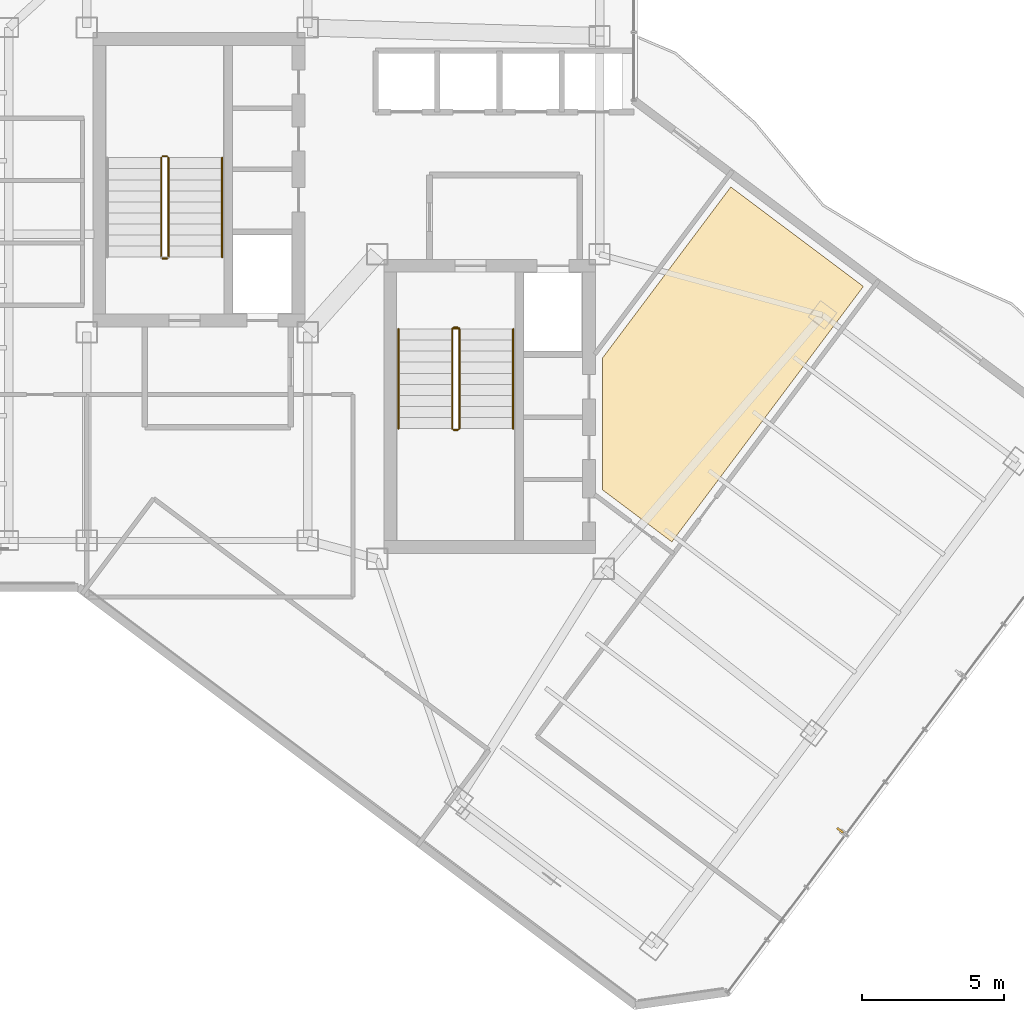
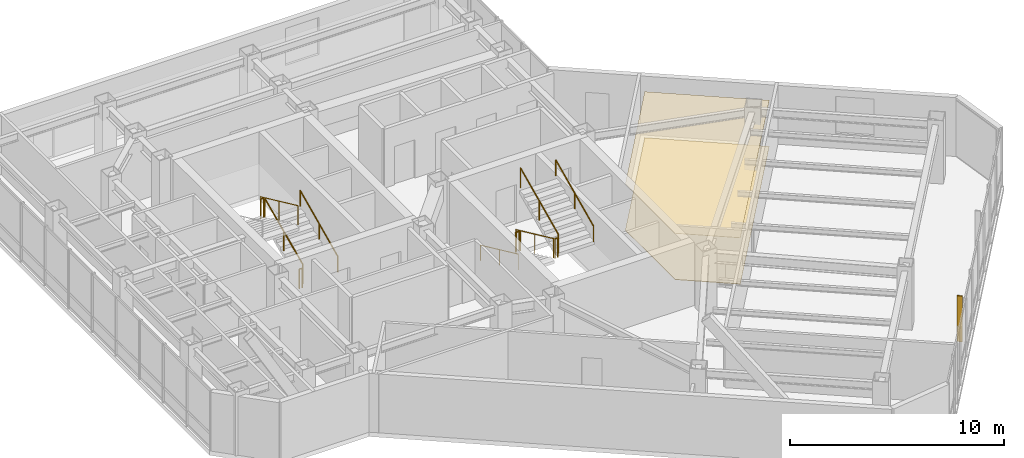
# One storey, part 23 of 25: 12 railings, 2 coverings, 1 shading device.
"""IFC4 building model written with IfcOpenShell, lengths in metres."""

from ifc_helpers import new_model, si_unit, direction, frame, origin, origin_2d, place, context, subcontext, project, spatial, polyline, rectangle, circle, outline, extrude, material, layer, layer_set, type_object, element, save


model = new_model("IFC4")

# Units and contexts
model_context = context("Model", 3, precision=1e-05, world=origin(), true_north=direction((0.0, 1.0)))
body_context = subcontext(model_context, "Body", "Model", "MODEL_VIEW")
ifc_project = project(units=[si_unit("LENGTHUNIT", "METRE"), si_unit("AREAUNIT", "SQUARE_METRE"), si_unit("VOLUMEUNIT", "CUBIC_METRE"), si_unit("PLANEANGLEUNIT", "RADIAN"), si_unit("MASSUNIT", "GRAM", prefix="KILO")], contexts=[model_context])

# Site, building, storey
site_placement = place(None, origin())
site = spatial("IfcSite", under=ifc_project, at=site_placement, CompositionType="ELEMENT")
building_placement = place(site_placement, origin())
building = spatial("IfcBuilding", under=site, at=building_placement, Name="Hatsunagi Terrace Concourse", CompositionType="ELEMENT")
storey_placement = place(building_placement, frame((0.0, 0.0, 205.949951171875)))
storey = spatial("IfcBuildingStorey", under=building, at=storey_placement, Name="L54", CompositionType="ELEMENT", Elevation=205.949951171875)

# Coverings
ifc_material_1 = material(Name="Acoustic mineral board", Category="gypsum")
ifc_layer_1 = layer(ifc_material_1, 0.02001953125)
ifc_layer_set_1 = layer_set([ifc_layer_1], Name="AcousticMineralCeiling_20")
covering_type_1 = type_object("IfcCoveringType", Name="AcousticMineralCeiling_20", PredefinedType="CEILING", material=ifc_layer_set_1)
covering_1_placement = place(storey_placement, frame((0.0, 0.0, 2.630126953125)))
element("IfcCovering", 1, at=covering_1_placement, inside=storey, type_object=covering_type_1, Name="Suspended Ceiling L54-2", PredefinedType="CEILING", context=body_context, shape_type="SweptSolid", body=[
    extrude(outline(polyline([(48.281982421875, 37.676025390625), (43.75, 31.634033203125), (43.75, 26.988037109375), (46.199951171875, 25.14990234375), (52.9619140625, 34.166015625), (48.281982421875, 37.676025390625)])), origin(), (0.0, 0.0, 1.0), 0.02001953125),
])
ifc_material_2 = material(Name="Granite stone paving", Category="masonry")
ifc_layer_2 = layer(ifc_material_2, 0.02490234375)
ifc_layer_set_2 = layer_set([ifc_layer_2], Name="GraniteStoneFlooring_25")
covering_type_2 = type_object("IfcCoveringType", Name="GraniteStoneFlooring_25", PredefinedType="FLOORING", material=ifc_layer_set_2)
covering_2_placement = place(storey_placement, origin())
element("IfcCovering", 2, at=covering_2_placement, inside=storey, type_object=covering_type_2, Name="Finished Flooring L54-2", PredefinedType="FLOORING", context=body_context, shape_type="SweptSolid", body=[
    extrude(outline(polyline([(48.281982421875, 37.676025390625), (43.75, 31.634033203125), (43.75, 26.988037109375), (46.199951171875, 25.14990234375), (52.9619140625, 34.166015625), (48.281982421875, 37.676025390625)])), origin(), (0.0, 0.0, 1.0), 0.025146484375),
])

# Railings
ifc_material_3 = material(Name="Stainless steel", Category="steel")
ifc_layer_3 = layer(ifc_material_3, 0.044921875)
ifc_layer_set_3 = layer_set([ifc_layer_3], Name="StairPitchHandrail_Tower2000")
railing_type_1 = type_object("IfcRailingType", Name="StairPitchHandrail_Tower2000", PredefinedType="HANDRAIL", material=ifc_layer_set_3)
railing_1_placement = place(storey_placement, frame((30.330078125, 35.199951171875, 0.179931640625)))
element("IfcRailing", 3, at=railing_1_placement, inside=storey, type_object=railing_type_1, Name="L54 ST-A stair handrail 1", PredefinedType="HANDRAIL", context=body_context, shape_type="SweptSolid", body=[
    extrude(circle(Radius=0.02392578125, at=origin_2d()), frame((0.0, 0.0, 0.8759765625), z_axis=(0.0, 0.907948293929, 0.419082206198), x_axis=(-1.0, 0.0, 0.0)), (0.0, 0.0, 1.0), 3.865966796875),
    extrude(circle(Radius=0.02099609375, at=origin_2d()), origin(), (0.0, 0.0, 1.0), 0.851806640625),
    extrude(circle(Radius=0.02099609375, at=origin_2d()), frame((0.0, 1.7548828125, 0.81005859375)), (0.0, 0.0, 1.0), 0.851806640625),
    extrude(circle(Radius=0.02099609375, at=origin_2d()), frame((0.0, 3.510009765625, 1.6201171875)), (0.0, 0.0, 1.0), 0.851806640625),
])
railing_2_placement = place(storey_placement, frame((36.550048828125, 32.659912109375, 0.179931640625)))
element("IfcRailing", 4, at=railing_2_placement, inside=storey, type_object=railing_type_1, Name="L54 ST-B stair handrail 1", PredefinedType="HANDRAIL", context=body_context, shape_type="SweptSolid", body=[
    extrude(circle(Radius=0.02392578125, at=origin_2d()), frame((0.0, 0.0, 0.8759765625), z_axis=(0.0, -0.907948293929, 0.419082206198), x_axis=(1.0, 0.0, 0.0)), (0.0, 0.0, 1.0), 3.865966796875),
    extrude(circle(Radius=0.02099609375, at=origin_2d()), origin(), (0.0, 0.0, 1.0), 0.851806640625),
    extrude(circle(Radius=0.02099609375, at=origin_2d()), frame((0.0, -1.7548828125, 0.81005859375)), (0.0, 0.0, 1.0), 0.851806640625),
    extrude(circle(Radius=0.02099609375, at=origin_2d()), frame((0.0, -3.510009765625, 1.6201171875)), (0.0, 0.0, 1.0), 0.851806640625),
])
railing_3_placement = place(storey_placement, frame((40.60009765625, 29.14990234375, 1.97998046875)))
element("IfcRailing", 5, at=railing_3_placement, inside=storey, type_object=railing_type_1, Name="L54 ST-B stair handrail 2", PredefinedType="HANDRAIL", context=body_context, shape_type="SweptSolid", body=[
    extrude(circle(Radius=0.02392578125, at=origin_2d()), frame((0.0, 0.0, 0.8759765625), z_axis=(0.0, 0.907948293929, 0.419082206198), x_axis=(-1.0, 0.0, 0.0)), (0.0, 0.0, 1.0), 3.865966796875),
    extrude(circle(Radius=0.02099609375, at=origin_2d()), origin(), (0.0, 0.0, 1.0), 0.851806640625),
    extrude(circle(Radius=0.02099609375, at=origin_2d()), frame((0.0, 1.7548828125, 0.81005859375)), (0.0, 0.0, 1.0), 0.851806640625),
    extrude(circle(Radius=0.02099609375, at=origin_2d()), frame((0.0, 3.510009765625, 1.6201171875)), (0.0, 0.0, 1.0), 0.851806640625),
])
ifc_material_4 = material(Name="Stainless steel", Category="steel")
ifc_layer_4 = layer(ifc_material_4, 0.06005859375)
ifc_layer_set_4 = layer_set([ifc_layer_4], Name="StairWellGuard_Tower2000")
railing_type_2 = type_object("IfcRailingType", Name="StairWellGuard_Tower2000", PredefinedType="BALUSTRADE", material=ifc_layer_set_4)
railing_4_placement = place(storey_placement, frame((28.429931640625, 35.199951171875, 0.179931640625)))
element("IfcRailing", 6, at=railing_4_placement, inside=storey, type_object=railing_type_2, Name="L54 ST-A stair guard 1", PredefinedType="BALUSTRADE", context=body_context, shape_type="SweptSolid", body=[
    extrude(circle(Radius=0.02392578125, at=origin_2d()), frame((0.0, 0.0, 1.09619140625), z_axis=(0.0, 0.907948293929, 0.419082206198), x_axis=(-1.0, 0.0, 0.0)), (0.0, 0.0, 1.0), 3.865966796875),
    extrude(circle(Radius=0.02099609375, at=origin_2d()), origin(), (0.0, 0.0, 1.0), 1.072021484375),
    extrude(circle(Radius=0.02099609375, at=origin_2d()), frame((0.0, 1.7548828125, 0.81005859375)), (0.0, 0.0, 1.0), 1.072021484375),
    extrude(circle(Radius=0.02099609375, at=origin_2d()), frame((0.0, 3.510009765625, 1.6201171875)), (0.0, 0.0, 1.0), 1.072021484375),
])
railing_5_placement = place(storey_placement, frame((28.3798828125, 38.760009765625, 1.800048828125)))
element("IfcRailing", 7, at=railing_5_placement, inside=storey, type_object=railing_type_2, Name="L54 ST-A stair guard 2", PredefinedType="BALUSTRADE", context=body_context, shape_type="SweptSolid", body=[
    extrude(circle(Radius=0.02392578125, at=origin_2d()), frame((0.0, 0.0, 1.09619140625), z_axis=(-1.0, 0.0, 0.0), x_axis=(0.0, -1.0, 0.0)), (0.0, 0.0, 1.0), 0.14990234375),
    extrude(circle(Radius=0.02099609375, at=origin_2d()), origin(), (0.0, 0.0, 1.0), 1.072021484375),
    extrude(circle(Radius=0.02099609375, at=origin_2d()), frame((-0.14990234375, 0.0, 0.0)), (0.0, 0.0, 1.0), 1.072021484375),
])
railing_6_placement = place(storey_placement, frame((28.179931640625, 38.7099609375, 1.97998046875)))
element("IfcRailing", 8, at=railing_6_placement, inside=storey, type_object=railing_type_2, Name="L54 ST-A stair guard 3", PredefinedType="BALUSTRADE", context=body_context, shape_type="SweptSolid", body=[
    extrude(circle(Radius=0.02392578125, at=origin_2d()), frame((0.0, 0.0, 1.09619140625), z_axis=(0.0, -0.907948293929, 0.419082206198), x_axis=(1.0, 0.0, 0.0)), (0.0, 0.0, 1.0), 3.865966796875),
    extrude(circle(Radius=0.02099609375, at=origin_2d()), origin(), (0.0, 0.0, 1.0), 1.072021484375),
    extrude(circle(Radius=0.02099609375, at=origin_2d()), frame((0.0, -1.7548828125, 0.81005859375)), (0.0, 0.0, 1.0), 1.072021484375),
    extrude(circle(Radius=0.02099609375, at=origin_2d()), frame((0.0, -3.510009765625, 1.6201171875)), (0.0, 0.0, 1.0), 1.072021484375),
])
railing_7_placement = place(storey_placement, frame((28.3798828125, 35.14990234375, 0.0)))
element("IfcRailing", 9, at=railing_7_placement, inside=storey, type_object=railing_type_2, Name="L54 ST-A stair guard 4", PredefinedType="BALUSTRADE", context=body_context, shape_type="SweptSolid", body=[
    extrude(circle(Radius=0.02392578125, at=origin_2d()), frame((0.0, 0.0, 1.09619140625), z_axis=(-1.0, 0.0, 0.0), x_axis=(0.0, -1.0, 0.0)), (0.0, 0.0, 1.0), 0.14990234375),
    extrude(circle(Radius=0.02099609375, at=origin_2d()), origin(), (0.0, 0.0, 1.0), 1.072021484375),
    extrude(circle(Radius=0.02099609375, at=origin_2d()), frame((-0.14990234375, 0.0, 0.0)), (0.0, 0.0, 1.0), 1.072021484375),
])
railing_8_placement = place(storey_placement, frame((38.449951171875, 32.659912109375, 0.179931640625)))
element("IfcRailing", 10, at=railing_8_placement, inside=storey, type_object=railing_type_2, Name="L54 ST-B stair guard 1", PredefinedType="BALUSTRADE", context=body_context, shape_type="SweptSolid", body=[
    extrude(circle(Radius=0.02392578125, at=origin_2d()), frame((0.0, 0.0, 1.09619140625), z_axis=(0.0, -0.907948293929, 0.419082206198), x_axis=(1.0, 0.0, 0.0)), (0.0, 0.0, 1.0), 3.865966796875),
    extrude(circle(Radius=0.02099609375, at=origin_2d()), origin(), (0.0, 0.0, 1.0), 1.072021484375),
    extrude(circle(Radius=0.02099609375, at=origin_2d()), frame((0.0, -1.7548828125, 0.81005859375)), (0.0, 0.0, 1.0), 1.072021484375),
    extrude(circle(Radius=0.02099609375, at=origin_2d()), frame((0.0, -3.510009765625, 1.6201171875)), (0.0, 0.0, 1.0), 1.072021484375),
])
railing_9_placement = place(storey_placement, frame((38.5, 29.10009765625, 1.800048828125)))
element("IfcRailing", 11, at=railing_9_placement, inside=storey, type_object=railing_type_2, Name="L54 ST-B stair guard 2", PredefinedType="BALUSTRADE", context=body_context, shape_type="SweptSolid", body=[
    extrude(circle(Radius=0.02392578125, at=origin_2d()), frame((0.0, 0.0, 1.09619140625), z_axis=(1.0, 0.0, 0.0), x_axis=(0.0, 1.0, 0.0)), (0.0, 0.0, 1.0), 0.14990234375),
    extrude(circle(Radius=0.02099609375, at=origin_2d()), origin(), (0.0, 0.0, 1.0), 1.072021484375),
    extrude(circle(Radius=0.02099609375, at=origin_2d()), frame((0.14990234375, 0.0, 0.0)), (0.0, 0.0, 1.0), 1.072021484375),
])
railing_10_placement = place(storey_placement, frame((38.699951171875, 29.14990234375, 1.97998046875)))
element("IfcRailing", 12, at=railing_10_placement, inside=storey, type_object=railing_type_2, Name="L54 ST-B stair guard 3", PredefinedType="BALUSTRADE", context=body_context, shape_type="SweptSolid", body=[
    extrude(circle(Radius=0.02392578125, at=origin_2d()), frame((0.0, 0.0, 1.09619140625), z_axis=(0.0, 0.907948293929, 0.419082206198), x_axis=(-1.0, 0.0, 0.0)), (0.0, 0.0, 1.0), 3.865966796875),
    extrude(circle(Radius=0.02099609375, at=origin_2d()), origin(), (0.0, 0.0, 1.0), 1.072021484375),
    extrude(circle(Radius=0.02099609375, at=origin_2d()), frame((0.0, 1.7548828125, 0.81005859375)), (0.0, 0.0, 1.0), 1.072021484375),
    extrude(circle(Radius=0.02099609375, at=origin_2d()), frame((0.0, 3.510009765625, 1.6201171875)), (0.0, 0.0, 1.0), 1.072021484375),
])
railing_11_placement = place(storey_placement, frame((38.5, 32.7099609375, 0.0)))
element("IfcRailing", 13, at=railing_11_placement, inside=storey, type_object=railing_type_2, Name="L54 ST-B stair guard 4", PredefinedType="BALUSTRADE", context=body_context, shape_type="SweptSolid", body=[
    extrude(circle(Radius=0.02392578125, at=origin_2d()), frame((0.0, 0.0, 1.09619140625), z_axis=(1.0, 0.0, 0.0), x_axis=(0.0, 1.0, 0.0)), (0.0, 0.0, 1.0), 0.14990234375),
    extrude(circle(Radius=0.02099609375, at=origin_2d()), origin(), (0.0, 0.0, 1.0), 1.072021484375),
    extrude(circle(Radius=0.02099609375, at=origin_2d()), frame((0.14990234375, 0.0, 0.0)), (0.0, 0.0, 1.0), 1.072021484375),
])
ifc_material_5 = material(Name="Stainless Steel SUS316 Post-and-Rail Guard", Category="steel")
ifc_layer_5 = layer(ifc_material_5, 0.080078125)
ifc_layer_set_5 = layer_set([ifc_layer_5], Name="TerracePlantedGuardRail_1200")
railing_type_3 = type_object("IfcRailingType", Name="TerracePlantedGuardRail_1200", PredefinedType="GUARDRAIL", material=ifc_layer_set_5)
railing_12_placement = place(storey_placement, frame((38.449951171875, 32.679931640625, 0.0)))
element("IfcRailing", 14, at=railing_12_placement, inside=storey, type_object=railing_type_3, Name="Stair ST-B Well Closure Guard L54", PredefinedType="GUARDRAIL", context=body_context, shape_type="SweptSolid", body=[
    extrude(circle(Radius=0.02392578125, at=origin_2d()), frame((0.0, 0.0, 1.09619140625), z_axis=(1.0, 0.0, 0.0), x_axis=(0.0, 1.0, 0.0)), (0.0, 0.0, 1.0), 0.25),
    extrude(circle(Radius=0.02099609375, at=origin_2d()), origin(), (0.0, 0.0, 1.0), 1.072021484375),
    extrude(circle(Radius=0.02099609375, at=origin_2d()), frame((0.25, 0.0, 0.0)), (0.0, 0.0, 1.0), 1.072021484375),
])

# Shading device
ifc_material_6 = material(Name="Extruded Unglazed Terracotta Baguette", Category="masonry")
shading_device_type = type_object("IfcShadingDeviceType", Name="TerracottaFinScreen_260x70", PredefinedType="USERDEFINED", material=ifc_material_6)
shading_device_placement = place(storey_placement, frame((52.139892578125, 14.968994140625, 0.85009765625), z_axis=(0.0, 0.0, 1.0), x_axis=(-0.599969314634, -0.800023013105, 0.0)))
element("IfcShadingDevice", 15, at=shading_device_placement, inside=storey, type_object=shading_device_type, Name="Terracotta Baguette Fin Screen SCR-01", ObjectType="SUNSHADE", PredefinedType="USERDEFINED", context=body_context, shape_type="SweptSolid", body=[
    extrude(rectangle(XDim=0.070068359375, YDim=0.260009765625, at=origin_2d()), origin(), (0.0, 0.0, 1.0), 2.60009765625),
])

save(model, "model.ifc")
